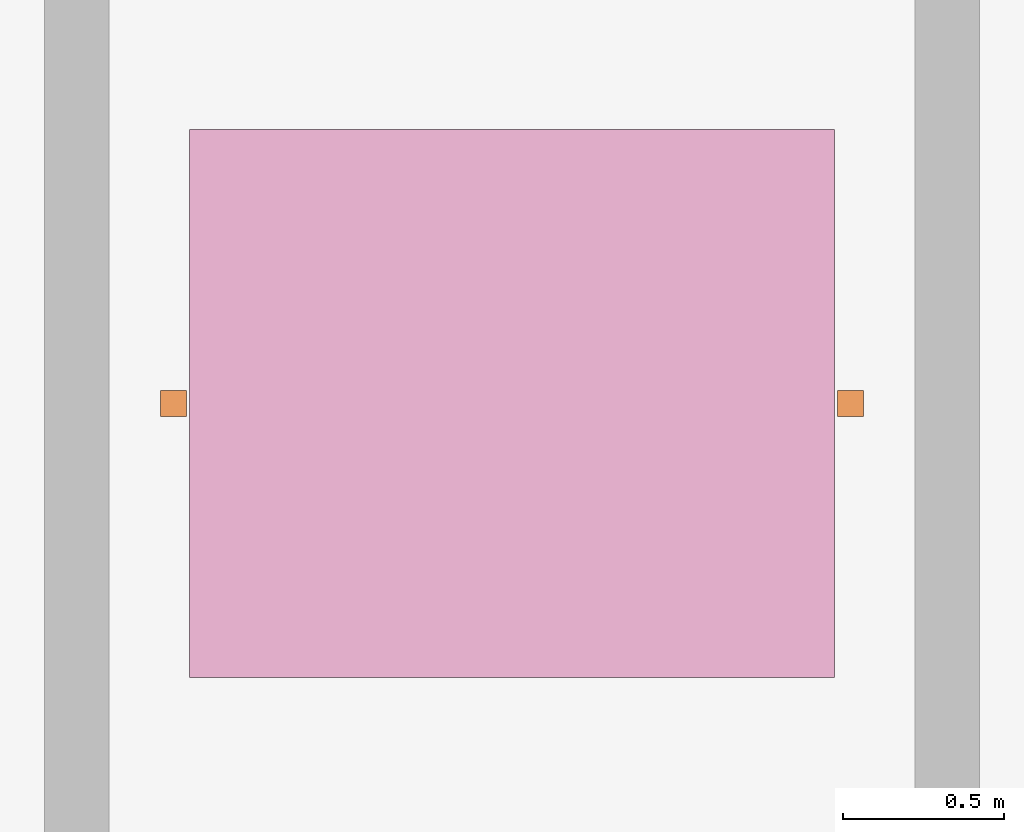
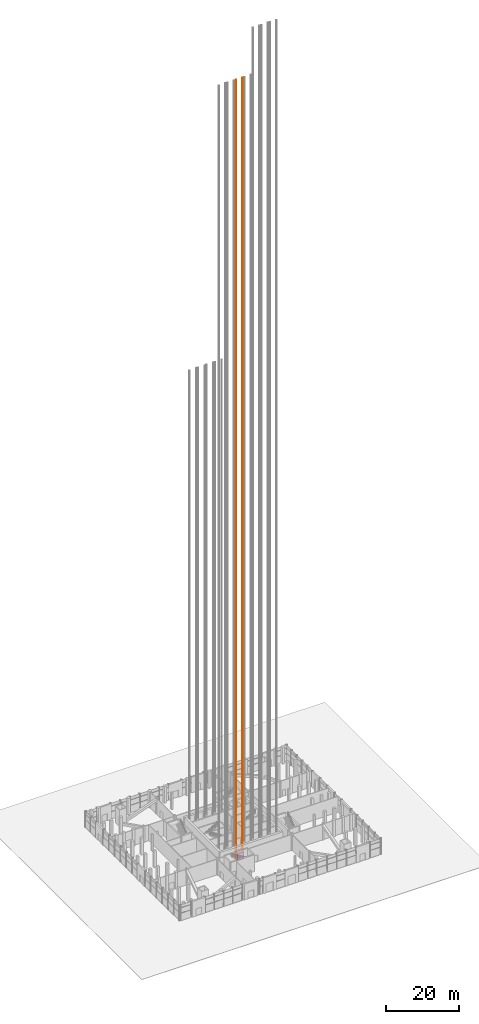
# One storey, part 19 of 27: 2 proxies, 1 transport element.
"""IFC4 building model written with IfcOpenShell, lengths in metres."""

from ifc_helpers import new_model, si_unit, direction, frame, origin, origin_2d, place, context, subcontext, project, spatial, rectangle, extrude, material, type_object, element, aggregate, save


model = new_model("IFC4")

# Units and contexts
model_context = context("Model", 3, precision=1e-05, world=origin(), true_north=direction((0.0, 1.0)))
body_context = subcontext(model_context, "Body", "Model", "MODEL_VIEW")
ifc_project = project(units=[si_unit("LENGTHUNIT", "METRE"), si_unit("AREAUNIT", "SQUARE_METRE"), si_unit("VOLUMEUNIT", "CUBIC_METRE"), si_unit("PLANEANGLEUNIT", "RADIAN"), si_unit("MASSUNIT", "GRAM", prefix="KILO")], contexts=[model_context])

# Site, building, storey
site_placement = place(None, origin())
site = spatial("IfcSite", under=ifc_project, at=site_placement, CompositionType="ELEMENT")
building_placement = place(site_placement, origin())
building = spatial("IfcBuilding", under=site, at=building_placement, Name="Turquesa Mirador Hotel Tower", CompositionType="ELEMENT")
storey_placement = place(building_placement, origin())
storey = spatial("IfcBuildingStorey", under=building, at=storey_placement, Name="L00", CompositionType="ELEMENT", Elevation=0.0)

# Transport element, proxies
ifc_material_1 = material(Name="Stainless steel lift car", Category="steel")
transport_element_type = type_object("IfcTransportElementType", Name="PASSENGER LIFT 1600 KG", PredefinedType="ELEVATOR", material=ifc_material_1)
transport_element_placement = place(storey_placement, frame((52.25, 36.949951171875, 0.0), z_axis=(0.0, 0.0, 1.0), x_axis=(1.0, 0.0, 0.0)))
transport_element = element("IfcTransportElement", 1, at=transport_element_placement, inside=storey, type_object=transport_element_type, Name="Lift B3", PredefinedType="ELEVATOR", context=body_context, shape_type="SweptSolid", body=[
    extrude(rectangle(XDim=2.0, YDim=1.699951171875, at=origin_2d()), origin(), (0.0, 0.0, 1.0), 2.39990234375),
])
ifc_material_2 = material(Name="Steel ASTM A992 Grade 50", Category="steel")
building_element_proxy_type = type_object("IfcBuildingElementProxyType", Name="LIFT GUIDE RAIL 80X80", PredefinedType="USERDEFINED", material=ifc_material_2)
proxy_1_placement = place(storey_placement, frame((51.199951171875, 36.949951171875, 0.0), z_axis=(0.0, 0.0, 1.0), x_axis=(1.0, 0.0, 0.0)))
proxy_1 = element("IfcBuildingElementProxy", 2, at=proxy_1_placement, type_object=building_element_proxy_type, Name="Lift B3 guide rail 1", ObjectType="LIFT GUIDE RAIL", PredefinedType="USERDEFINED", context=body_context, shape_type="SweptSolid", body=[
    extrude(rectangle(XDim=0.080078125, YDim=0.080078125, at=origin_2d()), origin(), (0.0, 0.0, 1.0), 261.5),
])
proxy_2_placement = place(storey_placement, frame((53.300048828125, 36.949951171875, 0.0), z_axis=(0.0, 0.0, 1.0), x_axis=(1.0, 0.0, 0.0)))
proxy_2 = element("IfcBuildingElementProxy", 3, at=proxy_2_placement, type_object=building_element_proxy_type, Name="Lift B3 guide rail 2", ObjectType="LIFT GUIDE RAIL", PredefinedType="USERDEFINED", context=body_context, shape_type="SweptSolid", body=[
    extrude(rectangle(XDim=0.080078125, YDim=0.080078125, at=origin_2d()), origin(), (0.0, 0.0, 1.0), 261.5),
])
aggregate(transport_element, [proxy_1, proxy_2])

save(model, "model.ifc")
